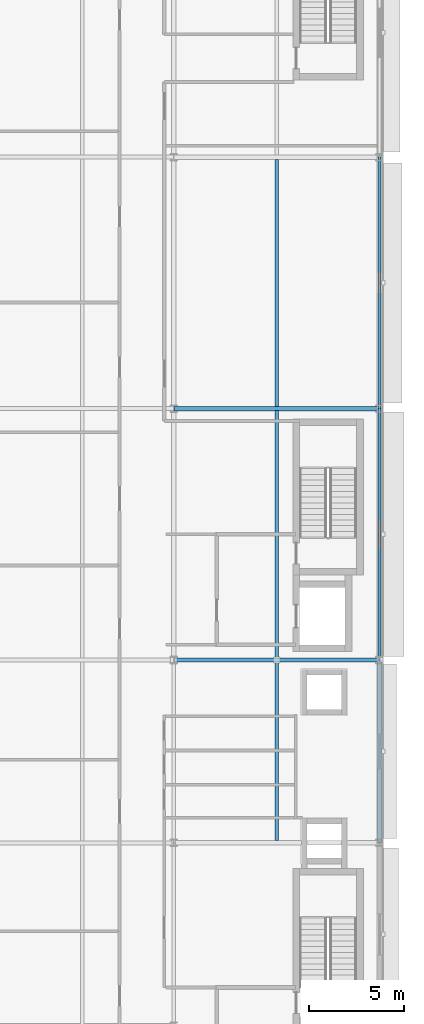
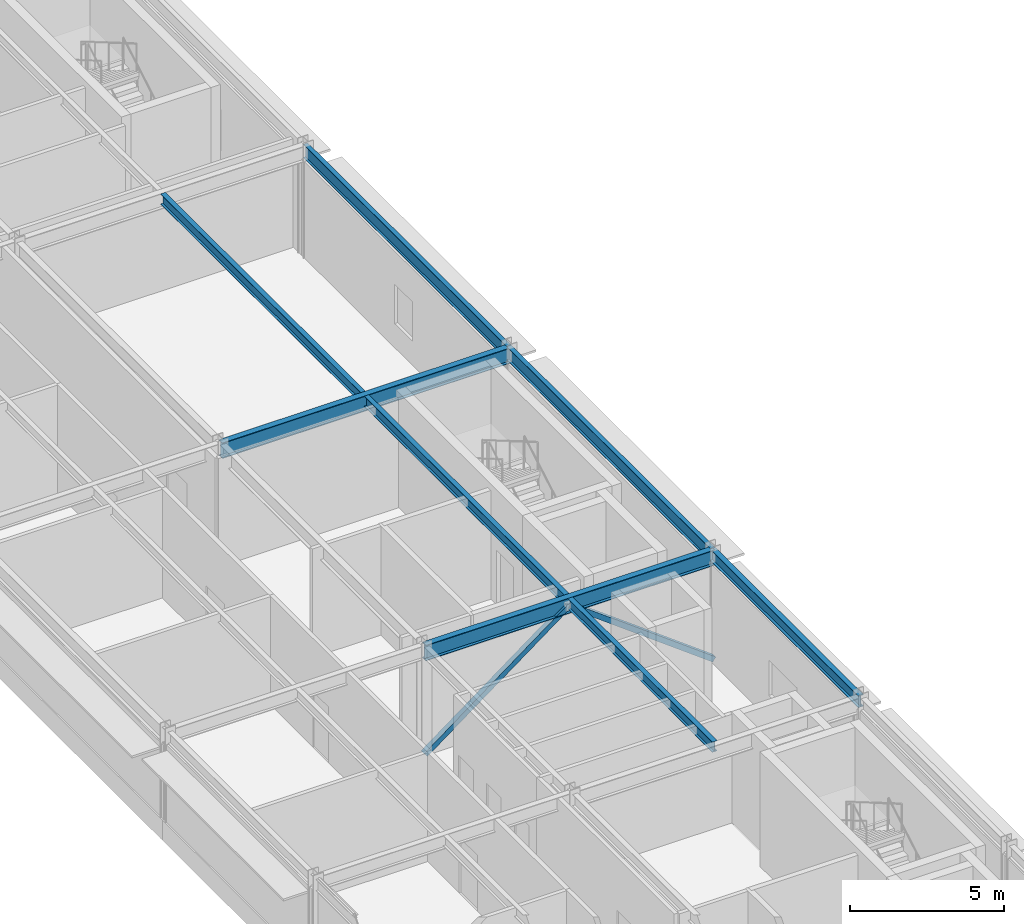
# One storey, part 53 of 89: 8 beams, 2 members.
"""IFC4 building model written with IfcOpenShell, lengths in metres."""

import ifcopenshell
import ifcopenshell.guid

model = None  # the IFC model being written
_history = None  # IfcOwnerHistory: only IFC2X3 demands one
_inside = {}  # id of a spatial element -> (the spatial element, [elements in it])
_under = {}  # id of a project, library or spatial element -> (it, [spatial elements below it])
_declared = {}  # id of a project -> (the project, [libraries it declares])
_typed = {}  # id of a type object -> (the type object, [elements of that type])
_made_of = {}  # id of a material, layer set ... -> (it, [elements and type objects made of it])


def new_model(schema):
    """Start an empty IFC model of exactly this schema.

    Asked for "IFC4X3", IfcOpenShell would pick the latest addendum, in which some entities
    have other attributes; the version numbers below select the first issue.
    IFC2X3 requires an IfcOwnerHistory on every rooted entity: one is made here for all.
    """
    global model, _history
    if schema == "IFC4X3":
        model = ifcopenshell.file(schema_version=(4, 3, 0, 0))
    else:
        model = ifcopenshell.file(schema=schema)
    _inside.clear()
    _under.clear()
    _declared.clear()
    _typed.clear()
    _made_of.clear()
    _history = None
    if model.schema == "IFC2X3":
        org = make("IfcOrganization", Name="unknown")
        user = make(
            "IfcPersonAndOrganization",
            ThePerson=make("IfcPerson", FamilyName="unknown"),
            TheOrganization=org,
        )
        app = make(
            "IfcApplication",
            ApplicationDeveloper=org,
            Version="unknown",
            ApplicationFullName="unknown",
            ApplicationIdentifier="unknown",
        )
        _history = make(
            "IfcOwnerHistory",
            OwningUser=user,
            OwningApplication=app,
            ChangeAction="ADDED",
            CreationDate=0,
        )
    return model


def make(cls, **values):
    """One entity of the class cls with the attributes given. An attribute that is None is left unset."""
    return model.create_entity(
        cls, **{name: value for name, value in values.items() if value is not None}
    )


def rooted(cls, **values):
    """An entity with a GlobalId (a new one), such as an element, a storey or a relation."""
    return make(cls, GlobalId=ifcopenshell.guid.new(), OwnerHistory=_history, **values)


def si_unit(unit_type, name, prefix=None):
    """IfcSIUnit, for example si_unit("LENGTHUNIT", "METRE", prefix="MILLI")."""
    return make("IfcSIUnit", UnitType=unit_type, Prefix=prefix, Name=name)


def assignment(units):
    """IfcUnitAssignment: the units of a project."""
    return None if units is None else make("IfcUnitAssignment", Units=units)


def point(xyz):
    """IfcCartesianPoint."""
    return None if xyz is None else make("IfcCartesianPoint", Coordinates=xyz)


def direction(xyz):
    """IfcDirection."""
    return None if xyz is None else make("IfcDirection", DirectionRatios=xyz)


def frame(location, z_axis=None, x_axis=None):
    """IfcAxis2Placement3D, a coordinate frame: its origin and axes. An axis left out is left unset."""
    return make(
        "IfcAxis2Placement3D",
        Location=point(location),
        Axis=direction(z_axis),
        RefDirection=direction(x_axis),
    )


def frame_2d(location, x_axis=None):
    """IfcAxis2Placement2D, a coordinate frame in the plane: its origin and x axis."""
    return make(
        "IfcAxis2Placement2D", Location=point(location), RefDirection=direction(x_axis)
    )


def origin():
    """The frame at (0, 0, 0) with its axes left unset."""
    return frame((0.0, 0.0, 0.0))


def origin_2d():
    """The frame at (0, 0) in the plane with its x axis left unset."""
    return frame_2d((0.0, 0.0))


def place(relative_to, where):
    """IfcLocalPlacement: puts the frame where relative to a parent placement (None: the world)."""
    return make(
        "IfcLocalPlacement", PlacementRelTo=relative_to, RelativePlacement=where
    )


def context(
    kind, dimensions, precision=None, world=None, true_north=None, identifier=None
):
    """IfcGeometricRepresentationContext, for example the 3D "Model" context."""
    return make(
        "IfcGeometricRepresentationContext",
        ContextIdentifier=identifier,
        ContextType=kind,
        CoordinateSpaceDimension=dimensions,
        Precision=precision,
        WorldCoordinateSystem=world,
        TrueNorth=true_north,
    )


def subcontext(parent, identifier, kind, view, scale=None):
    """IfcGeometricRepresentationSubContext, for example "Body" below "Model"."""
    return make(
        "IfcGeometricRepresentationSubContext",
        ContextIdentifier=identifier,
        ContextType=kind,
        ParentContext=parent,
        TargetScale=scale,
        TargetView=view,
    )


def project(units=None, contexts=None):
    """IfcProject with its units and contexts."""
    return rooted(
        "IfcProject",
        Name="project",
        RepresentationContexts=contexts,
        UnitsInContext=assignment(units),
    )


def spatial(cls, under=None, at=None, **own):
    """A site, building, storey or space (cls), placed at a placement, below another one or the project."""
    s = rooted(cls, ObjectPlacement=at, **own)
    if under is not None:
        _under.setdefault(under.id(), (under, []))[1].append(s)
    return s


def profile(cls, at=None, kind="AREA", **sizes):
    """A parametric profile (cls). Its sizes go by their IFC names, for example OverallWidth=200.0."""
    return make(cls, ProfileType=kind, Position=at, **sizes)


def hollow_rectangle(**sizes):
    """IfcRectangleHollowProfileDef."""
    return profile("IfcRectangleHollowProfileDef", **sizes)


def i_section(**sizes):
    """IfcIShapeProfileDef."""
    return profile("IfcIShapeProfileDef", **sizes)


def extrude(swept, where, along, depth):
    """IfcExtrudedAreaSolid: the profile swept, set in the frame where, extruded along a direction by depth."""
    return make(
        "IfcExtrudedAreaSolid",
        SweptArea=swept,
        Position=where,
        ExtrudedDirection=direction(along),
        Depth=depth,
    )


def shape(context_of_items, identifier, shape_type, items):
    """IfcShapeRepresentation: the items that make up one representation, for example the "Body"."""
    return make(
        "IfcShapeRepresentation",
        ContextOfItems=context_of_items,
        RepresentationIdentifier=identifier,
        RepresentationType=shape_type,
        Items=items,
    )


def material(Name=None, Category=None):
    """IfcMaterial."""
    return make("IfcMaterial", Name=Name, Category=Category)


def material_profile(
    of_material, cross_section, Name=None, Category=None, Priority=None
):
    """IfcMaterialProfile: a cross section and its material."""
    return make(
        "IfcMaterialProfile",
        Name=Name,
        Material=of_material,
        Profile=cross_section,
        Priority=Priority,
        Category=Category,
    )


def profile_set(profiles, Name=None, composite=None):
    """IfcMaterialProfileSet."""
    return make(
        "IfcMaterialProfileSet",
        Name=Name,
        MaterialProfiles=profiles,
        CompositeProfile=composite,
    )


def made_of(thing, what):
    """Note that an element or type object is made of a material, layer set ...; save() writes the relation."""
    if what is not None:
        _made_of.setdefault(what.id(), (what, []))[1].append(thing)
    return thing


def type_object(cls, material=None, **own):
    """A type object (cls), such as IfcWallType, which elements share."""
    return made_of(rooted(cls, **own), material)


def element(
    cls,
    number,
    at=None,
    inside=None,
    cuts=None,
    type_object=None,
    material=None,
    context=None,
    identifier="Body",
    shape_type=None,
    held_by="IfcProductDefinitionShape",
    body=None,
    shapes=None,
    **own,
):
    """One element of the class cls, such as IfcWall. Its Tag is "e" and its number.

    at: its placement. inside: the storey or other place that contains it. cuts: it is an
    opening in that element (IfcRelVoidsElement). A single representation is given by context,
    identifier, shape_type and body (its items); several are given by shapes. held_by: the class
    of the entity that holds the representations. save() writes the other relations.
    """
    e = rooted(cls, Tag="e%d" % number, ObjectPlacement=at, **own)
    if body is not None:
        shapes = [shape(context, identifier, shape_type, body)]
    if shapes is not None:
        e.Representation = make(held_by, Representations=shapes)
    if inside is not None:
        _inside.setdefault(inside.id(), (inside, []))[1].append(e)
    if cuts is not None:
        rooted(
            "IfcRelVoidsElement", RelatingBuildingElement=cuts, RelatedOpeningElement=e
        )
    if type_object is not None:
        _typed.setdefault(type_object.id(), (type_object, []))[1].append(e)
    return made_of(e, material)


def aggregate(whole, parts):
    """IfcRelAggregates: a whole, such as a stair, and the parts it consists of."""
    return rooted("IfcRelAggregates", RelatingObject=whole, RelatedObjects=parts)


def save(model, path):
    """Write the relations noted so far, then the file.

    IfcRelAggregates (storeys below a building ...), IfcRelContainedInSpatialStructure (elements
    in a storey), IfcRelDefinesByType, IfcRelAssociatesMaterial and IfcRelDeclares: one each for
    every whole, place, type object, material and project.
    """
    for whole, parts in _under.values():
        aggregate(whole, parts)
    for where, things in _inside.values():
        rooted(
            "IfcRelContainedInSpatialStructure",
            RelatedElements=things,
            RelatingStructure=where,
        )
    for kind, things in _typed.values():
        rooted("IfcRelDefinesByType", RelatedObjects=things, RelatingType=kind)
    for what, things in _made_of.values():
        rooted("IfcRelAssociatesMaterial", RelatedObjects=things, RelatingMaterial=what)
    for by, libraries in _declared.values():
        rooted("IfcRelDeclares", RelatingContext=by, RelatedDefinitions=libraries)
    model.write(path)


model = new_model("IFC4")

# Units and contexts
model_context = context("Model", 3, precision=1e-05, world=origin(), true_north=direction((0.0, 1.0)))
body_context = subcontext(model_context, "Body", "Model", "MODEL_VIEW")
ifc_project = project(units=[si_unit("LENGTHUNIT", "METRE"), si_unit("AREAUNIT", "SQUARE_METRE"), si_unit("VOLUMEUNIT", "CUBIC_METRE"), si_unit("PLANEANGLEUNIT", "RADIAN"), si_unit("MASSUNIT", "GRAM", prefix="KILO")], contexts=[model_context])

# Site, building, storey
site_placement = place(None, origin())
site = spatial("IfcSite", under=ifc_project, at=site_placement, CompositionType="ELEMENT")
building_placement = place(site_placement, origin())
building = spatial("IfcBuilding", under=site, at=building_placement, Name="Almandine Court Research Institute", CompositionType="ELEMENT")
storey_placement = place(building_placement, frame((0.0, 0.0, 18.89990234375)))
storey = spatial("IfcBuildingStorey", under=building, at=storey_placement, Name="L04", CompositionType="ELEMENT", Elevation=18.89990234375)

# Beams
ifc_material_1 = material(Name="Steel ASTM A992 Grade 50", Category="steel")
ifc_material_profile_1 = material_profile(ifc_material_1, i_section(OverallWidth=0.178955078125, OverallDepth=0.409912109375, WebThickness=0.009033203125, FlangeThickness=0.013916015625, at=origin_2d()), Name="W410x67")
ifc_profile_set_1 = profile_set([ifc_material_profile_1], Name="Steel ASTM A992 Grade 50")
beam_type_1 = type_object("IfcBeamType", Name="Beam-B-02", PredefinedType="JOIST", material=ifc_profile_set_1)
beam_1_placement = place(storey_placement, frame((168.60009765625, 34.9130859375, 4.1650390625), z_axis=(0.0, 1.0, 0.0), x_axis=(-1.0, 0.0, 0.0)))
element("IfcBeam", 1, at=beam_1_placement, inside=storey, type_object=beam_type_1, Name="L04 V4 Composite Secondary Beam", PredefinedType="JOIST", context=body_context, shape_type="SweptSolid", body=[
    extrude(i_section(OverallWidth=0.178955078125, OverallDepth=0.409912109375, WebThickness=0.009033203125, FlangeThickness=0.013916015625, at=origin_2d()), origin(), (0.0, 0.0, 1.0), 9.3740234375),
])
for number, where, z_axis, x_axis, name in (
    (2, (168.60009765625, 44.512939453125, 4.1650390625), (0.0, 1.0, 0.0), (-1.0, 0.0, 0.0), "L04 V4 Composite Secondary Beam"),
    (3, (168.60009765625, 57.712890625, 4.1650390625), (0.0, 1.0, 0.0), (-1.0, 0.0, 0.0), "L04 V4 Composite Secondary Beam"),
):
    element("IfcBeam", number, at=place(storey_placement, frame(where, z_axis=z_axis, x_axis=x_axis)), inside=storey, type_object=beam_type_1, Name=name, PredefinedType="JOIST", context=body_context, shape_type="SweptSolid", body=[
        extrude(i_section(OverallWidth=0.178955078125, OverallDepth=0.409912109375, WebThickness=0.009033203125, FlangeThickness=0.013916015625, at=origin_2d()), origin(), (0.0, 0.0, 1.0), 12.97412109375),
    ])
ifc_material_profile_2 = material_profile(ifc_material_1, i_section(OverallWidth=0.22998046875, OverallDepth=0.616943359375, WebThickness=0.012939453125, FlangeThickness=0.02197265625, at=origin_2d()), Name="W610x140")
ifc_profile_set_2 = profile_set([ifc_material_profile_2], Name="Steel ASTM A992 Grade 50")
beam_type_2 = type_object("IfcBeamType", Name="Beam-G-02", PredefinedType="BEAM", material=ifc_profile_set_2)
for number, where, z_axis, x_axis, name in (
    (4, (163.199951171875, 44.39990234375, 4.06201171875), (1.0, 0.0, 0.0), (0.0, 1.0, 0.0), "L04 V4 Primary X Girder"),
    (5, (163.199951171875, 57.60009765625, 4.06201171875), (1.0, 0.0, 0.0), (0.0, 1.0, 0.0), "L04 V4 Primary X Girder"),
):
    element("IfcBeam", number, at=place(storey_placement, frame(where, z_axis=z_axis, x_axis=x_axis)), inside=storey, type_object=beam_type_2, Name=name, PredefinedType="BEAM", context=body_context, shape_type="SweptSolid", body=[
        extrude(i_section(OverallWidth=0.22998046875, OverallDepth=0.616943359375, WebThickness=0.012939453125, FlangeThickness=0.02197265625, at=origin_2d()), origin(), (0.0, 0.0, 1.0), 10.800048828125),
    ])
ifc_material_profile_3 = material_profile(ifc_material_1, i_section(OverallWidth=0.166015625, OverallDepth=0.534912109375, WebThickness=0.010009765625, FlangeThickness=0.01708984375, at=origin_2d()), Name="W530x85")
ifc_profile_set_3 = profile_set([ifc_material_profile_3], Name="Steel ASTM A992 Grade 50")
beam_type_3 = type_object("IfcBeamType", Name="Beam-G-05-E", PredefinedType="SPANDREL", material=ifc_profile_set_3)
beam_2_placement = place(storey_placement, frame((174.0, 44.39990234375, 4.10302734375), z_axis=(0.0, 1.0, 0.0), x_axis=(-1.0, 0.0, 0.0)))
element("IfcBeam", 6, at=beam_2_placement, inside=storey, type_object=beam_type_3, Name="L04 V4 Primary Y Girder", PredefinedType="SPANDREL", context=body_context, shape_type="SweptSolid", body=[
    extrude(i_section(OverallWidth=0.166015625, OverallDepth=0.534912109375, WebThickness=0.010009765625, FlangeThickness=0.01708984375, at=origin_2d()), origin(), (0.0, 0.0, 1.0), 13.2001953125),
])
beam_3_placement = place(storey_placement, frame((174.0, 57.60009765625, 4.10302734375), z_axis=(0.0, 1.0, 0.0), x_axis=(-1.0, 0.0, 0.0)))
element("IfcBeam", 7, at=beam_3_placement, inside=storey, type_object=beam_type_3, Name="L04 V4 Primary Y Girder", PredefinedType="SPANDREL", context=body_context, shape_type="SweptSolid", body=[
    extrude(i_section(OverallWidth=0.166015625, OverallDepth=0.534912109375, WebThickness=0.010009765625, FlangeThickness=0.01708984375, at=origin_2d()), origin(), (0.0, 0.0, 1.0), 13.199951171875),
])
ifc_material_profile_4 = material_profile(ifc_material_1, i_section(OverallWidth=0.193115234375, OverallDepth=0.466064453125, WebThickness=0.010986328125, FlangeThickness=0.01904296875, at=origin_2d()), Name="W460x97")
ifc_profile_set_4 = profile_set([ifc_material_profile_4], Name="Steel ASTM A992 Grade 50")
beam_type_4 = type_object("IfcBeamType", Name="Beam-G-06-E", PredefinedType="SPANDREL", material=ifc_profile_set_4)
beam_4_placement = place(storey_placement, frame((174.0, 34.800048828125, 4.13720703125), z_axis=(0.0, 1.0, 0.0), x_axis=(-1.0, 0.0, 0.0)))
element("IfcBeam", 8, at=beam_4_placement, inside=storey, type_object=beam_type_4, Name="L04 V4 Primary Y Girder", PredefinedType="SPANDREL", context=body_context, shape_type="SweptSolid", body=[
    extrude(i_section(OverallWidth=0.193115234375, OverallDepth=0.466064453125, WebThickness=0.010986328125, FlangeThickness=0.01904296875, at=origin_2d()), origin(), (0.0, 0.0, 1.0), 9.599853515625),
])

# Members
ifc_material_2 = material(Name="Steel ASTM A500 Grade C", Category="steel")
ifc_material_profile_5 = material_profile(ifc_material_2, hollow_rectangle(XDim=0.199951171875, YDim=0.199951171875, WallThickness=0.008056640625, at=origin_2d()), Name="HSS 200x200x8")
ifc_profile_set_5 = profile_set([ifc_material_profile_5], Name="Steel ASTM A500 Grade C")
member_type = type_object("IfcMemberType", Name="Mem-BF-BR2", PredefinedType="BRACE", material=ifc_profile_set_5)
for number, where, z_axis, x_axis, name in (
    (9, (163.199951171875, 44.39990234375, 0.02001953125), (0.801428188232, 0.0, 0.598091012394), (0.0, 1.0, 0.0), "L04 Seismic Chevron Brace V4-BF2 Left"),
    (10, (174.0, 44.39990234375, 0.02001953125), (-0.801415226812, 0.0, 0.598108380007), (0.0, -1.0, 0.0), "L04 Seismic Chevron Brace V4-BF2 Right"),
):
    element("IfcMember", number, at=place(storey_placement, frame(where, z_axis=z_axis, x_axis=x_axis)), inside=storey, type_object=member_type, Name=name, PredefinedType="BRACE", context=body_context, shape_type="SweptSolid", body=[
        extrude(hollow_rectangle(XDim=0.199951171875, YDim=0.199951171875, WallThickness=0.008056640625, at=origin_2d()), origin(), (0.0, 0.0, 1.0), 6.738037109375),
    ])

save(model, "model.ifc")
